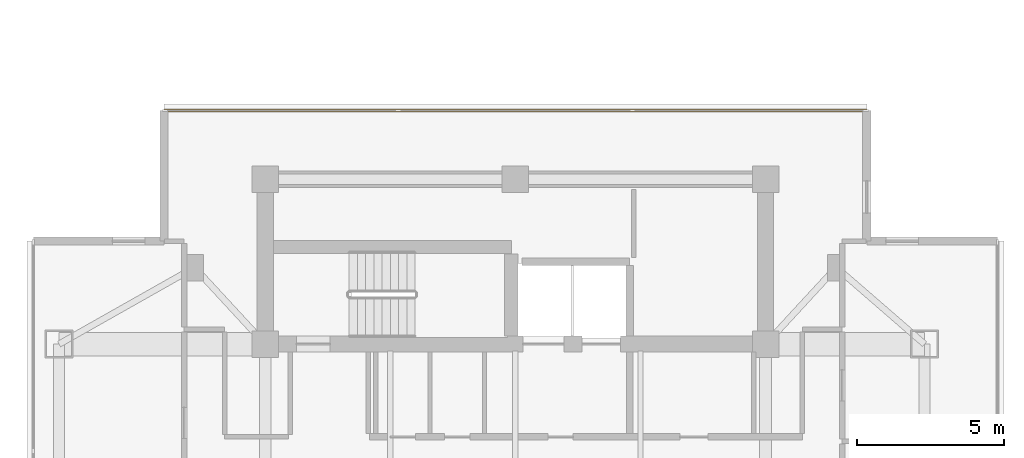
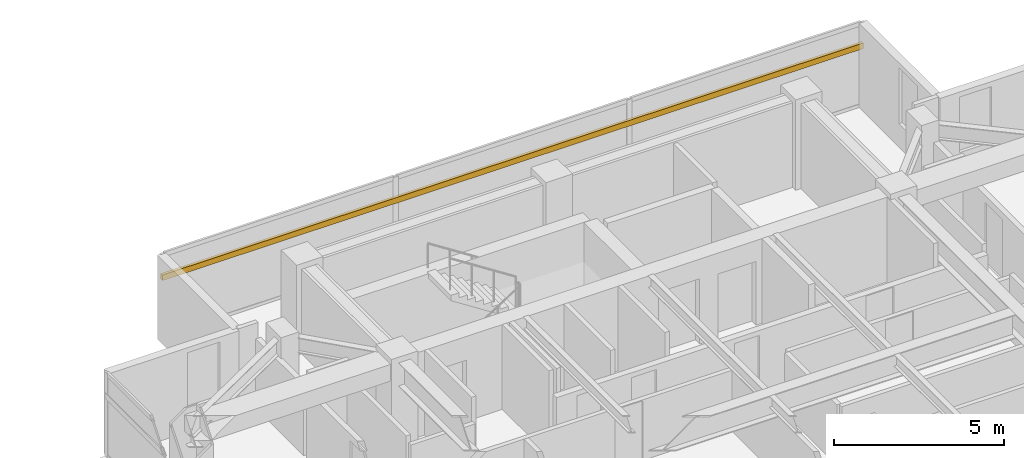
# One storey, part 23 of 23: 1 shading device.
"""IFC4 building model written with IfcOpenShell, lengths in metres."""

from ifc_helpers import new_model, si_unit, direction, frame, origin, origin_2d, place, context, subcontext, project, spatial, rectangle, extrude, material, material_profile, profile_set, type_object, element, save


model = new_model("IFC4")

# Units and contexts
model_context = context("Model", 3, precision=1e-05, world=origin(), true_north=direction((0.0, 1.0)))
body_context = subcontext(model_context, "Body", "Model", "MODEL_VIEW")
ifc_project = project(units=[si_unit("LENGTHUNIT", "METRE"), si_unit("AREAUNIT", "SQUARE_METRE"), si_unit("VOLUMEUNIT", "CUBIC_METRE"), si_unit("PLANEANGLEUNIT", "RADIAN"), si_unit("MASSUNIT", "GRAM", prefix="KILO")], contexts=[model_context])

# Site, building, storey
site_placement = place(None, origin())
site = spatial("IfcSite", under=ifc_project, at=site_placement, CompositionType="ELEMENT")
building_placement = place(site_placement, origin())
building = spatial("IfcBuilding", under=site, at=building_placement, Name="Mirazonda Arch Towers", CompositionType="ELEMENT")
storey_placement = place(building_placement, frame((0.0, 0.0, 183.64990234375)))
storey = spatial("IfcBuildingStorey", under=building, at=storey_placement, Name="L52", CompositionType="ELEMENT", Elevation=183.64990234375)

# Shading device
ifc_material = material(Name="Kiln-Fired Architectural Terracotta", Category="masonry")
ifc_material_profile = material_profile(ifc_material, rectangle(XDim=0.10009765625, YDim=0.199951171875, at=origin_2d()), Name="TERRA-BAG-100x200")
ifc_profile_set = profile_set([ifc_material_profile], Name="Kiln-Fired Architectural Terracotta")
shading_device_type = type_object("IfcShadingDeviceType", Name="BAGUETTE-2", PredefinedType="USERDEFINED", material=ifc_profile_set)
shading_device_placement = place(storey_placement, frame((64.562255859375, 43.138427734375, 2.181640625), z_axis=(1.0, 0.0, 0.0), x_axis=(0.0, 1.0, 0.0)))
element("IfcShadingDevice", 1, at=shading_device_placement, inside=storey, type_object=shading_device_type, Name="L52 Glazed Terracotta Sun-Screen Baguette CW-L52-T2-N", ObjectType="BAGUETTE", PredefinedType="USERDEFINED", context=body_context, shape_type="SweptSolid", body=[
    extrude(rectangle(XDim=0.10009765625, YDim=0.199951171875, at=origin_2d()), origin(), (0.0, 0.0, 1.0), 23.87548828125),
])

save(model, "model.ifc")
